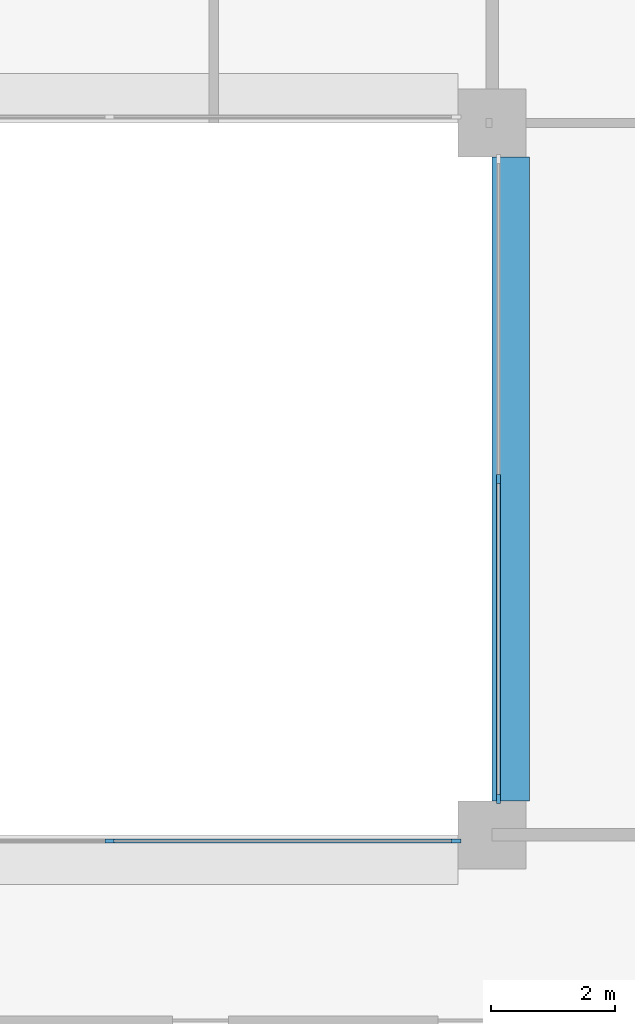
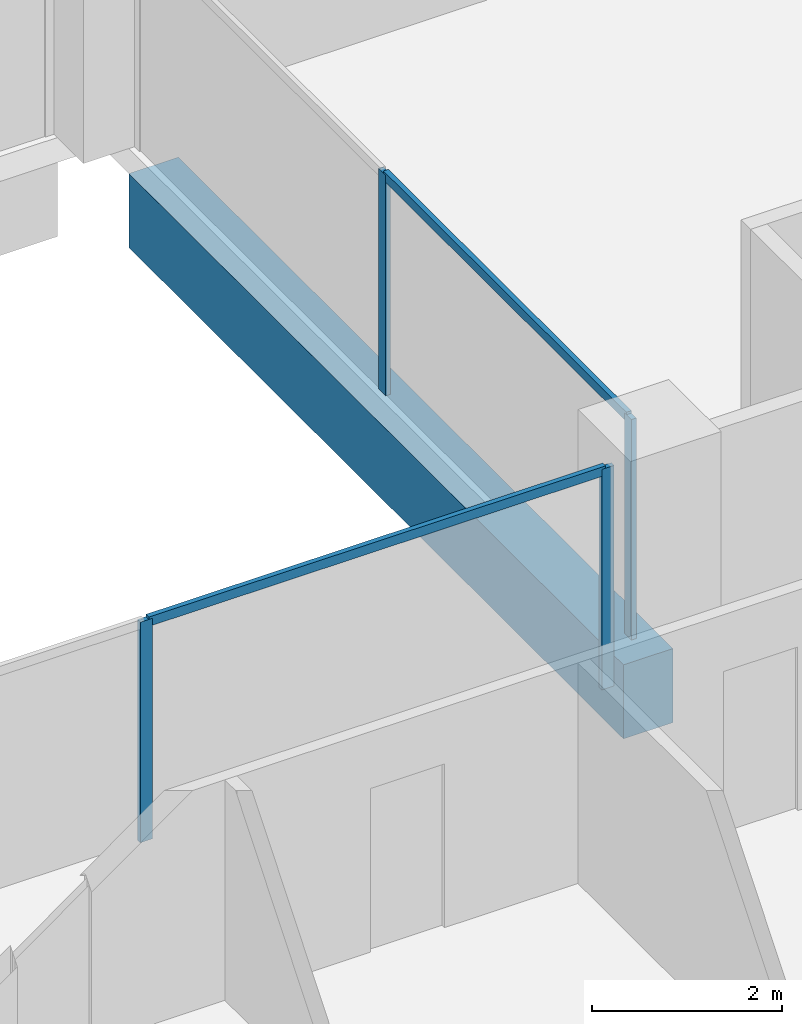
# One storey, part 4 of 15: 6 members, 1 beam, 2 elements without a shape of their own.
"""IFC4 building model written with IfcOpenShell, lengths in metres."""

import ifcopenshell
import ifcopenshell.guid

model = None  # the IFC model being written
_history = None  # IfcOwnerHistory: only IFC2X3 demands one
_inside = {}  # id of a spatial element -> (the spatial element, [elements in it])
_under = {}  # id of a project, library or spatial element -> (it, [spatial elements below it])
_declared = {}  # id of a project -> (the project, [libraries it declares])
_typed = {}  # id of a type object -> (the type object, [elements of that type])
_made_of = {}  # id of a material, layer set ... -> (it, [elements and type objects made of it])


def new_model(schema):
    """Start an empty IFC model of exactly this schema.

    Asked for "IFC4X3", IfcOpenShell would pick the latest addendum, in which some entities
    have other attributes; the version numbers below select the first issue.
    IFC2X3 requires an IfcOwnerHistory on every rooted entity: one is made here for all.
    """
    global model, _history
    if schema == "IFC4X3":
        model = ifcopenshell.file(schema_version=(4, 3, 0, 0))
    else:
        model = ifcopenshell.file(schema=schema)
    _inside.clear()
    _under.clear()
    _declared.clear()
    _typed.clear()
    _made_of.clear()
    _history = None
    if model.schema == "IFC2X3":
        org = make("IfcOrganization", Name="unknown")
        user = make(
            "IfcPersonAndOrganization",
            ThePerson=make("IfcPerson", FamilyName="unknown"),
            TheOrganization=org,
        )
        app = make(
            "IfcApplication",
            ApplicationDeveloper=org,
            Version="unknown",
            ApplicationFullName="unknown",
            ApplicationIdentifier="unknown",
        )
        _history = make(
            "IfcOwnerHistory",
            OwningUser=user,
            OwningApplication=app,
            ChangeAction="ADDED",
            CreationDate=0,
        )
    return model


def make(cls, **values):
    """One entity of the class cls with the attributes given. An attribute that is None is left unset."""
    return model.create_entity(
        cls, **{name: value for name, value in values.items() if value is not None}
    )


def rooted(cls, **values):
    """An entity with a GlobalId (a new one), such as an element, a storey or a relation."""
    return make(cls, GlobalId=ifcopenshell.guid.new(), OwnerHistory=_history, **values)


def si_unit(unit_type, name, prefix=None):
    """IfcSIUnit, for example si_unit("LENGTHUNIT", "METRE", prefix="MILLI")."""
    return make("IfcSIUnit", UnitType=unit_type, Prefix=prefix, Name=name)


def assignment(units):
    """IfcUnitAssignment: the units of a project."""
    return None if units is None else make("IfcUnitAssignment", Units=units)


def point(xyz):
    """IfcCartesianPoint."""
    return None if xyz is None else make("IfcCartesianPoint", Coordinates=xyz)


def direction(xyz):
    """IfcDirection."""
    return None if xyz is None else make("IfcDirection", DirectionRatios=xyz)


def frame(location, z_axis=None, x_axis=None):
    """IfcAxis2Placement3D, a coordinate frame: its origin and axes. An axis left out is left unset."""
    return make(
        "IfcAxis2Placement3D",
        Location=point(location),
        Axis=direction(z_axis),
        RefDirection=direction(x_axis),
    )


def frame_2d(location, x_axis=None):
    """IfcAxis2Placement2D, a coordinate frame in the plane: its origin and x axis."""
    return make(
        "IfcAxis2Placement2D", Location=point(location), RefDirection=direction(x_axis)
    )


def origin():
    """The frame at (0, 0, 0) with its axes left unset."""
    return frame((0.0, 0.0, 0.0))


def origin_2d():
    """The frame at (0, 0) in the plane with its x axis left unset."""
    return frame_2d((0.0, 0.0))


def place(relative_to, where):
    """IfcLocalPlacement: puts the frame where relative to a parent placement (None: the world)."""
    return make(
        "IfcLocalPlacement", PlacementRelTo=relative_to, RelativePlacement=where
    )


def context(
    kind, dimensions, precision=None, world=None, true_north=None, identifier=None
):
    """IfcGeometricRepresentationContext, for example the 3D "Model" context."""
    return make(
        "IfcGeometricRepresentationContext",
        ContextIdentifier=identifier,
        ContextType=kind,
        CoordinateSpaceDimension=dimensions,
        Precision=precision,
        WorldCoordinateSystem=world,
        TrueNorth=true_north,
    )


def subcontext(parent, identifier, kind, view, scale=None):
    """IfcGeometricRepresentationSubContext, for example "Body" below "Model"."""
    return make(
        "IfcGeometricRepresentationSubContext",
        ContextIdentifier=identifier,
        ContextType=kind,
        ParentContext=parent,
        TargetScale=scale,
        TargetView=view,
    )


def project(units=None, contexts=None):
    """IfcProject with its units and contexts."""
    return rooted(
        "IfcProject",
        Name="project",
        RepresentationContexts=contexts,
        UnitsInContext=assignment(units),
    )


def spatial(cls, under=None, at=None, **own):
    """A site, building, storey or space (cls), placed at a placement, below another one or the project."""
    s = rooted(cls, ObjectPlacement=at, **own)
    if under is not None:
        _under.setdefault(under.id(), (under, []))[1].append(s)
    return s


def profile(cls, at=None, kind="AREA", **sizes):
    """A parametric profile (cls). Its sizes go by their IFC names, for example OverallWidth=200.0."""
    return make(cls, ProfileType=kind, Position=at, **sizes)


def rectangle(**sizes):
    """IfcRectangleProfileDef."""
    return profile("IfcRectangleProfileDef", **sizes)


def extrude(swept, where, along, depth):
    """IfcExtrudedAreaSolid: the profile swept, set in the frame where, extruded along a direction by depth."""
    return make(
        "IfcExtrudedAreaSolid",
        SweptArea=swept,
        Position=where,
        ExtrudedDirection=direction(along),
        Depth=depth,
    )


def shape(context_of_items, identifier, shape_type, items):
    """IfcShapeRepresentation: the items that make up one representation, for example the "Body"."""
    return make(
        "IfcShapeRepresentation",
        ContextOfItems=context_of_items,
        RepresentationIdentifier=identifier,
        RepresentationType=shape_type,
        Items=items,
    )


def material(Name=None, Category=None):
    """IfcMaterial."""
    return make("IfcMaterial", Name=Name, Category=Category)


def layer(
    of_material, thickness, ventilated=None, Name=None, Category=None, Priority=None
):
    """IfcMaterialLayer: one layer of a wall or slab, of a material (None: an air gap)."""
    return make(
        "IfcMaterialLayer",
        Material=of_material,
        LayerThickness=thickness,
        IsVentilated=ventilated,
        Name=Name,
        Category=Category,
        Priority=Priority,
    )


def layer_set(layers, Name=None):
    """IfcMaterialLayerSet."""
    return make("IfcMaterialLayerSet", MaterialLayers=layers, LayerSetName=Name)


def material_profile(
    of_material, cross_section, Name=None, Category=None, Priority=None
):
    """IfcMaterialProfile: a cross section and its material."""
    return make(
        "IfcMaterialProfile",
        Name=Name,
        Material=of_material,
        Profile=cross_section,
        Priority=Priority,
        Category=Category,
    )


def profile_set(profiles, Name=None, composite=None):
    """IfcMaterialProfileSet."""
    return make(
        "IfcMaterialProfileSet",
        Name=Name,
        MaterialProfiles=profiles,
        CompositeProfile=composite,
    )


def made_of(thing, what):
    """Note that an element or type object is made of a material, layer set ...; save() writes the relation."""
    if what is not None:
        _made_of.setdefault(what.id(), (what, []))[1].append(thing)
    return thing


def type_object(cls, material=None, **own):
    """A type object (cls), such as IfcWallType, which elements share."""
    return made_of(rooted(cls, **own), material)


def element(
    cls,
    number,
    at=None,
    inside=None,
    cuts=None,
    type_object=None,
    material=None,
    context=None,
    identifier="Body",
    shape_type=None,
    held_by="IfcProductDefinitionShape",
    body=None,
    shapes=None,
    **own,
):
    """One element of the class cls, such as IfcWall. Its Tag is "e" and its number.

    at: its placement. inside: the storey or other place that contains it. cuts: it is an
    opening in that element (IfcRelVoidsElement). A single representation is given by context,
    identifier, shape_type and body (its items); several are given by shapes. held_by: the class
    of the entity that holds the representations. save() writes the other relations.
    """
    e = rooted(cls, Tag="e%d" % number, ObjectPlacement=at, **own)
    if body is not None:
        shapes = [shape(context, identifier, shape_type, body)]
    if shapes is not None:
        e.Representation = make(held_by, Representations=shapes)
    if inside is not None:
        _inside.setdefault(inside.id(), (inside, []))[1].append(e)
    if cuts is not None:
        rooted(
            "IfcRelVoidsElement", RelatingBuildingElement=cuts, RelatedOpeningElement=e
        )
    if type_object is not None:
        _typed.setdefault(type_object.id(), (type_object, []))[1].append(e)
    return made_of(e, material)


def aggregate(whole, parts):
    """IfcRelAggregates: a whole, such as a stair, and the parts it consists of."""
    return rooted("IfcRelAggregates", RelatingObject=whole, RelatedObjects=parts)


def save(model, path):
    """Write the relations noted so far, then the file.

    IfcRelAggregates (storeys below a building ...), IfcRelContainedInSpatialStructure (elements
    in a storey), IfcRelDefinesByType, IfcRelAssociatesMaterial and IfcRelDeclares: one each for
    every whole, place, type object, material and project.
    """
    for whole, parts in _under.values():
        aggregate(whole, parts)
    for where, things in _inside.values():
        rooted(
            "IfcRelContainedInSpatialStructure",
            RelatedElements=things,
            RelatingStructure=where,
        )
    for kind, things in _typed.values():
        rooted("IfcRelDefinesByType", RelatedObjects=things, RelatingType=kind)
    for what, things in _made_of.values():
        rooted("IfcRelAssociatesMaterial", RelatedObjects=things, RelatingMaterial=what)
    for by, libraries in _declared.values():
        rooted("IfcRelDeclares", RelatingContext=by, RelatedDefinitions=libraries)
    model.write(path)


model = new_model("IFC4")

# Units and contexts
model_context = context("Model", 3, precision=1e-05, world=origin(), true_north=direction((0.0, 1.0)))
body_context = subcontext(model_context, "Body", "Model", "MODEL_VIEW")
ifc_project = project(units=[si_unit("LENGTHUNIT", "METRE"), si_unit("AREAUNIT", "SQUARE_METRE"), si_unit("VOLUMEUNIT", "CUBIC_METRE"), si_unit("PLANEANGLEUNIT", "RADIAN"), si_unit("MASSUNIT", "GRAM", prefix="KILO")], contexts=[model_context])

# Site, building, storey
site_placement = place(None, origin())
site = spatial("IfcSite", under=ifc_project, at=site_placement, CompositionType="ELEMENT")
building_placement = place(site_placement, origin())
building = spatial("IfcBuilding", under=site, at=building_placement, Name="Brigalow Station Residences", CompositionType="ELEMENT")
storey_placement = place(building_placement, frame((0.0, 0.0, 172.800048828125)))
storey = spatial("IfcBuildingStorey", under=building, at=storey_placement, Name="L50", CompositionType="ELEMENT", Elevation=172.800048828125)

# Beam
ifc_material_1 = material(Name="Concrete C65", Category="concrete")
ifc_material_profile_1 = material_profile(ifc_material_1, rectangle(XDim=0.60009765625, YDim=0.949951171875, at=origin_2d()), Name="RC600x950")
ifc_profile_set_1 = profile_set([ifc_material_profile_1], Name="Concrete C65")
beam_type = type_object("IfcBeamType", Name="ATRIUM EDGE GIRDER 600x950 C65", PredefinedType="BEAM", material=ifc_profile_set_1)
beam_placement = place(storey_placement, frame((45.300048828125, 24.550048828125, -0.795166015625), z_axis=(0.0, 1.0, 0.0), x_axis=(-1.0, 0.0, 0.0)))
element("IfcBeam", 1, at=beam_placement, inside=storey, type_object=beam_type, Name="ATRIUM EDGE GIRDER 5 L50", PredefinedType="BEAM", context=body_context, shape_type="SweptSolid", body=[
    extrude(rectangle(XDim=0.60009765625, YDim=0.949951171875, at=origin_2d()), origin(), (0.0, 0.0, 1.0), 10.39990234375),
])

# Curtain wall, members
ifc_material_2 = material(Name="Aluminium", Category="aluminium")
ifc_layer = layer(ifc_material_2, 0.14990234375)
ifc_layer_set = layer_set([ifc_layer], Name="ATRIUM FIRE-RATED GLAZING CURTAIN WALL")
curtain_wall_type = type_object("IfcCurtainWallType", Name="ATRIUM FIRE-RATED GLAZING CURTAIN WALL", PredefinedType="NOTDEFINED", material=ifc_layer_set)
curtain_wall_1_placement = place(storey_placement, origin())
curtain_wall_1 = element("IfcCurtainWall", 2, at=curtain_wall_1_placement, inside=storey, type_object=curtain_wall_type, Name="L50/cw/atrium-S", PredefinedType="NOTDEFINED")
ifc_material_3 = material(Name="Aluminium", Category="aluminium")
ifc_material_profile_2 = material_profile(ifc_material_3, rectangle(XDim=0.06005859375, YDim=0.14990234375, at=origin_2d()), Name="ATRIUM FIRE-RATED GLAZING MULLION 60x150")
ifc_profile_set_2 = profile_set([ifc_material_profile_2], Name="Aluminium")
member_type_1 = type_object("IfcMemberType", Name="ATRIUM FIRE-RATED GLAZING MULLION 60x150", PredefinedType="MULLION", material=ifc_profile_set_2)
member_1_placement = place(storey_placement, frame((38.816650390625, 23.89990234375, 0.0), z_axis=(0.0, 0.0, 1.0), x_axis=(0.0, 1.0, 0.0)))
member_1 = element("IfcMember", 3, at=member_1_placement, type_object=member_type_1, Name="L50/cw/atrium-S/M02", PredefinedType="MULLION", context=body_context, shape_type="SweptSolid", body=[
    extrude(rectangle(XDim=0.06005859375, YDim=0.14990234375, at=origin_2d()), origin(), (0.0, 0.0, 1.0), 2.829833984375),
])
member_2_placement = place(storey_placement, frame((44.419921875, 23.89990234375, 0.0), z_axis=(0.0, 0.0, 1.0), x_axis=(0.0, 1.0, 0.0)))
member_2 = element("IfcMember", 4, at=member_2_placement, type_object=member_type_1, Name="L50/cw/atrium-S/M03", PredefinedType="MULLION", context=body_context, shape_type="SweptSolid", body=[
    extrude(rectangle(XDim=0.06005859375, YDim=0.14990234375, at=origin_2d()), origin(), (0.0, 0.0, 1.0), 2.829833984375),
])

curtain_wall_2_placement = place(storey_placement, origin())
curtain_wall_2 = element("IfcCurtainWall", 5, at=curtain_wall_2_placement, inside=storey, type_object=curtain_wall_type, Name="L50/cw/atrium-E", PredefinedType="NOTDEFINED")
member_3_placement = place(storey_placement, frame((45.10009765625, 24.580078125, 0.0), z_axis=(0.0, 0.0, 1.0), x_axis=(-1.0, 0.0, 0.0)))
member_3 = element("IfcMember", 6, at=member_3_placement, type_object=member_type_1, Name="L50/cw/atrium-E/M00", PredefinedType="MULLION", context=body_context, shape_type="SweptSolid", body=[
    extrude(rectangle(XDim=0.06005859375, YDim=0.14990234375, at=origin_2d()), origin(), (0.0, 0.0, 1.0), 2.829833984375),
])
member_4_placement = place(storey_placement, frame((45.10009765625, 29.75, 0.0), z_axis=(0.0, 0.0, 1.0), x_axis=(-1.0, 0.0, 0.0)))
member_4 = element("IfcMember", 7, at=member_4_placement, type_object=member_type_1, Name="L50/cw/atrium-E/M01", PredefinedType="MULLION", context=body_context, shape_type="SweptSolid", body=[
    extrude(rectangle(XDim=0.06005859375, YDim=0.14990234375, at=origin_2d()), origin(), (0.0, 0.0, 1.0), 2.829833984375),
])

# Member
ifc_material_4 = material(Name="Aluminium", Category="aluminium")
ifc_material_profile_3 = material_profile(ifc_material_4, rectangle(XDim=0.06005859375, YDim=0.1201171875, at=origin_2d()), Name="ATRIUM FIRE-RATED GLAZING TRANSOM 60x120")
ifc_profile_set_3 = profile_set([ifc_material_profile_3], Name="Aluminium")
member_type_2 = type_object("IfcMemberType", Name="ATRIUM FIRE-RATED GLAZING TRANSOM 60x120", PredefinedType="USERDEFINED", material=ifc_profile_set_3)
member_5_placement = place(storey_placement, frame((38.8466796875, 23.89990234375, 2.800048828125), z_axis=(1.0, 0.0, 0.0), x_axis=(0.0, 1.0, 0.0)))
member_5 = element("IfcMember", 8, at=member_5_placement, type_object=member_type_2, Name="L50/cw/atrium-S/T02-00", ObjectType="TRANSOM", PredefinedType="USERDEFINED", context=body_context, shape_type="SweptSolid", body=[
    extrude(rectangle(XDim=0.06005859375, YDim=0.1201171875, at=origin_2d()), origin(), (0.0, 0.0, 1.0), 5.543212890625),
])

aggregate(curtain_wall_1, [member_1, member_2, member_5])

member_6_placement = place(storey_placement, frame((45.10009765625, 24.610107421875, 2.800048828125), z_axis=(0.0, 1.0, 0.0), x_axis=(-1.0, 0.0, 0.0)))
member_6 = element("IfcMember", 9, at=member_6_placement, type_object=member_type_2, Name="L50/cw/atrium-E/T00-00", ObjectType="TRANSOM", PredefinedType="USERDEFINED", context=body_context, shape_type="SweptSolid", body=[
    extrude(rectangle(XDim=0.06005859375, YDim=0.1201171875, at=origin_2d()), origin(), (0.0, 0.0, 1.0), 5.10986328125),
])

aggregate(curtain_wall_2, [member_3, member_4, member_6])

save(model, "model.ifc")
